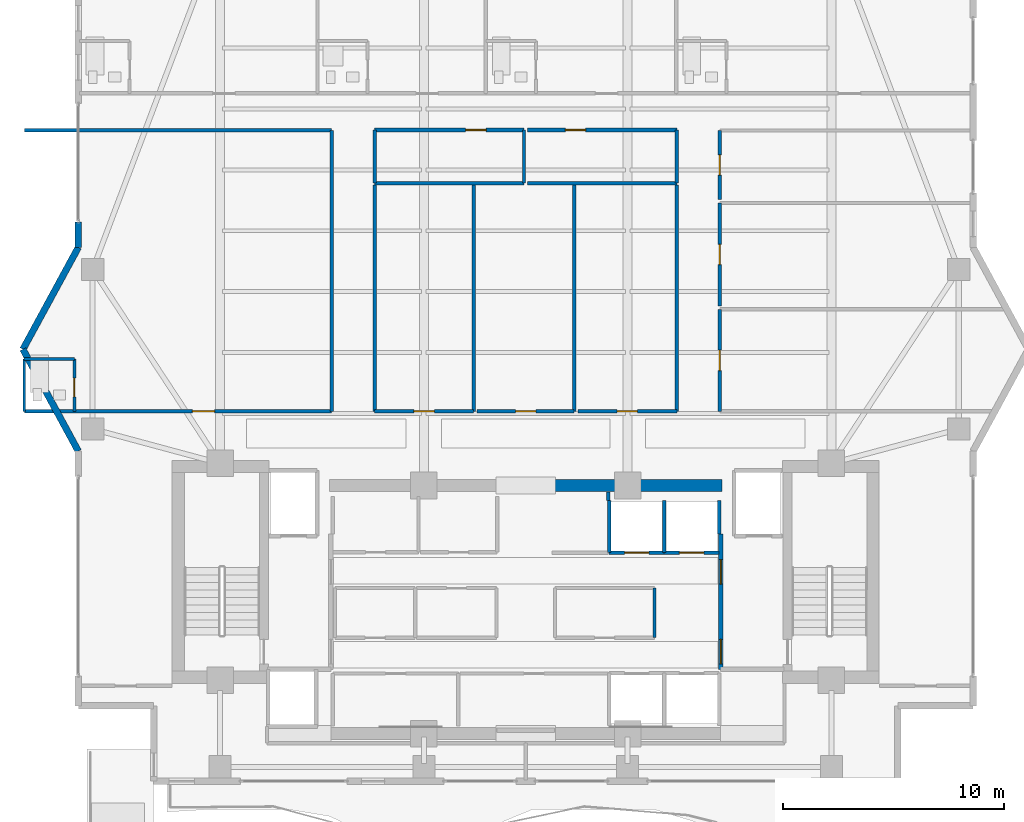
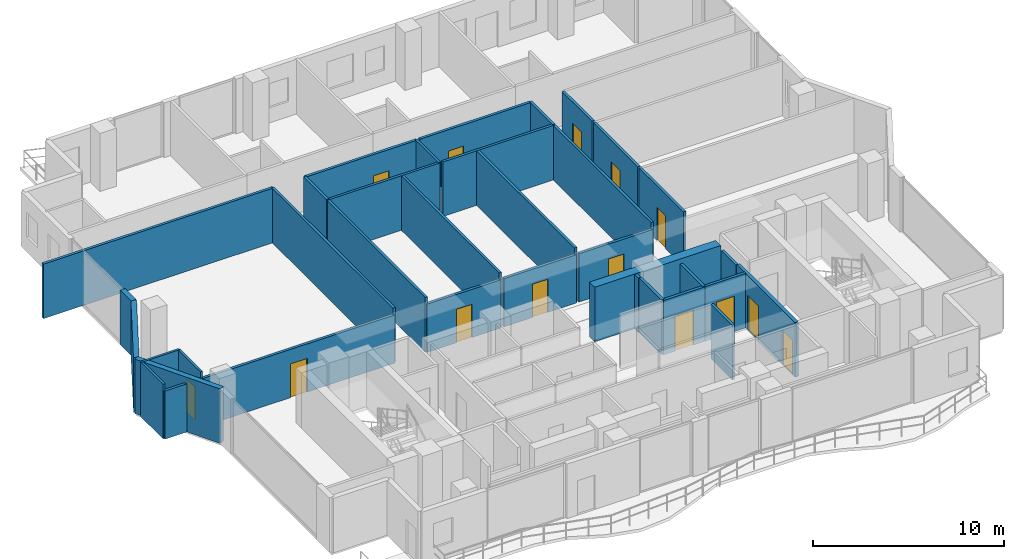
# One storey, part 19 of 24: 35 walls, 14 doors, 14 openings.
"""IFC4 building model written with IfcOpenShell, lengths in metres."""

from ifc_helpers import new_model, si_unit, direction, frame, frame_2d, origin, place, context, subcontext, project, spatial, rectangle, extrude, material, layer, layer_set, type_object, element, fill, save


model = new_model("IFC4")

# Units and contexts
model_context = context("Model", 3, precision=1e-05, world=origin(), true_north=direction((0.0, 1.0)))
body_context = subcontext(model_context, "Body", "Model", "MODEL_VIEW")
ifc_project = project(units=[si_unit("LENGTHUNIT", "METRE"), si_unit("AREAUNIT", "SQUARE_METRE"), si_unit("VOLUMEUNIT", "CUBIC_METRE"), si_unit("PLANEANGLEUNIT", "RADIAN"), si_unit("MASSUNIT", "GRAM", prefix="KILO")], contexts=[model_context])

# Site, building, storey
site_placement = place(None, origin())
site = spatial("IfcSite", under=ifc_project, at=site_placement, CompositionType="ELEMENT")
building_placement = place(site_placement, origin())
building = spatial("IfcBuilding", under=site, at=building_placement, Name="Zuhayl Quay Hotel", CompositionType="ELEMENT")
storey_placement = place(building_placement, frame((0.0, 0.0, 280.35009765625)))
storey = spatial("IfcBuildingStorey", under=building, at=storey_placement, Name="L71", CompositionType="ELEMENT", Elevation=280.35009765625)

# Walls
ifc_material_1 = material(Name="Concrete C50/60", Category="concrete")
ifc_layer_1 = layer(ifc_material_1, 0.550048828125, Name="Concrete C50/60", Category="concrete")
ifc_layer_set_1 = layer_set([ifc_layer_1], Name="Concrete C50/60")
wall_type_1 = type_object("IfcWallType", Name="WL_CORE_550", PredefinedType="SHEAR", material=ifc_layer_set_1)
wall_1_placement = place(storey_placement, frame((1.25, 13.35009765625, 0.0), z_axis=(0.0, 0.0, 1.0), x_axis=(1.0, 0.0, 0.0)))
element("IfcWall", 1, at=wall_1_placement, inside=storey, type_object=wall_type_1, Name="L71 Core Shear Wall CW_NC_E", PredefinedType="SHEAR", context=body_context, shape_type="SweptSolid", body=[
    extrude(rectangle(XDim=7.60009765625, YDim=0.550048828125, at=frame_2d((3.800048828125, 0.0))), origin(), (0.0, 0.0, 1.0), 3.47998046875),
])
ifc_material_2 = material(Name="Precast concrete C45/55", Category="concrete")
ifc_layer_2 = layer(ifc_material_2, 0.300048828125, Name="Precast concrete C45/55", Category="concrete")
ifc_layer_set_2 = layer_set([ifc_layer_2], Name="Precast concrete C45/55")
wall_type_2 = type_object("IfcWallType", Name="WL_EXT_300", PredefinedType="STANDARD", material=ifc_layer_set_2)
for number, where, z_axis, x_axis, name in (
    (2, (-20.199951171875, 14.89990234375, 0.0), (0.0, 0.0, 1.0), (-0.477505494629, 0.878628762675, 0.0), "L71 Exterior Precast Wall ENV_L71_EW03"),
    (3, (-22.699951171875, 19.5, 0.0), (0.0, 0.0, 1.0), (0.477505494629, 0.878628762675, 0.0), "L71 Exterior Precast Wall ENV_L71_EW04"),
):
    element("IfcWall", number, at=place(storey_placement, frame(where, z_axis=z_axis, x_axis=x_axis)), inside=storey, type_object=wall_type_2, Name=name, PredefinedType="STANDARD", context=body_context, shape_type="SweptSolid", body=[
        extrude(rectangle(XDim=5.235595703125, YDim=0.300048828125, at=frame_2d((2.61767578125, 0.0))), origin(), (0.0, 0.0, 1.0), 3.47998046875),
    ])
wall_2_placement = place(storey_placement, frame((-20.199951171875, 24.10009765625, 0.0), z_axis=(0.0, 0.0, 1.0), x_axis=(0.0, 1.0, 0.0)))
element("IfcWall", 4, at=wall_2_placement, inside=storey, type_object=wall_type_2, Name="L71 Exterior Precast Wall ENV_L71_E05_EW1", PredefinedType="STANDARD", context=body_context, shape_type="SweptSolid", body=[
    extrude(rectangle(XDim=1.14990234375, YDim=0.300048828125, at=frame_2d((0.574951171875, 0.0))), origin(), (0.0, 0.0, 1.0), 3.47998046875),
])
ifc_material_3 = material(Name="Acoustic Gypsum Partition STC-58")
ifc_layer_3 = layer(ifc_material_3, 0.14990234375, Name="Acoustic Gypsum Partition STC-58")
ifc_layer_set_3 = layer_set([ifc_layer_3], Name="Acoustic Gypsum Partition STC-58")
wall_type_3 = type_object("IfcWallType", Name="WL_PART_150", PredefinedType="PARTITIONING", material=ifc_layer_set_3)
wall_3_placement = place(storey_placement, frame((5.81005859375, 6.47998046875, 0.0), z_axis=(0.0, 0.0, 1.0), x_axis=(0.0, 1.0, 0.0)))
element("IfcWall", 5, at=wall_3_placement, inside=storey, type_object=wall_type_3, Name="L71 Partition IW_L71_CORE_PN_E", PredefinedType="PARTITIONING", context=body_context, shape_type="SweptSolid", body=[
    extrude(rectangle(XDim=2.239990234375, YDim=0.14990234375, at=frame_2d((1.1201171875, 0.0))), origin(), (0.0, 0.0, 1.0), 3.47998046875),
])
wall_4_placement = place(storey_placement, frame((3.719970703125, 12.679931640625, 0.0), z_axis=(0.0, 0.0, 1.0), x_axis=(0.0, 1.0, 0.0)))
element("IfcWall", 6, at=wall_4_placement, inside=storey, type_object=wall_type_3, Name="L71 Partition IW_L71_VEST_MP4_E", PredefinedType="PARTITIONING", context=body_context, shape_type="SweptSolid", body=[
    extrude(rectangle(XDim=0.3701171875, YDim=0.14990234375, at=frame_2d((0.18505859375, 0.0))), origin(), (0.0, 0.0, 1.0), 3.47998046875),
])
wall_5_placement = place(storey_placement, frame((-6.820068359375, 27.0, 0.0), z_axis=(0.0, 0.0, 1.0), x_axis=(1.0, 0.0, 0.0)))
element("IfcWall", 7, at=wall_5_placement, inside=storey, type_object=wall_type_3, Name="L71 Partition IW_L71_HK_MAIN_S", PredefinedType="PARTITIONING", context=body_context, shape_type="SweptSolid", body=[
    extrude(rectangle(XDim=6.739990234375, YDim=0.14990234375, at=frame_2d((3.3701171875, 0.0))), origin(), (0.0, 0.0, 1.0), 3.47998046875),
])
for number, where, z_axis, x_axis, name in (
    (8, (-6.820068359375, 27.0, 0.0), (0.0, 0.0, 1.0), (0.0, 1.0, 0.0), "L71 Partition IW_L71_HK_MAIN_W"),
    (9, (-0.080078125, 27.0, 0.0), (0.0, 0.0, 1.0), (0.0, 1.0, 0.0), "L71 Partition IW_L71_HK_MAIN_E"),
):
    element("IfcWall", number, at=place(storey_placement, frame(where, z_axis=z_axis, x_axis=x_axis)), inside=storey, type_object=wall_type_3, Name=name, PredefinedType="PARTITIONING", context=body_context, shape_type="SweptSolid", body=[
        extrude(rectangle(XDim=2.39990234375, YDim=0.14990234375, at=frame_2d((1.199951171875, 0.0))), origin(), (0.0, 0.0, 1.0), 3.47998046875),
    ])
wall_6_placement = place(storey_placement, frame((0.080078125, 27.0, 0.0), z_axis=(0.0, 0.0, 1.0), x_axis=(1.0, 0.0, 0.0)))
element("IfcWall", 10, at=wall_6_placement, inside=storey, type_object=wall_type_3, Name="L71 Partition IW_L71_TEA_MAIN_S", PredefinedType="PARTITIONING", context=body_context, shape_type="SweptSolid", body=[
    extrude(rectangle(XDim=6.739990234375, YDim=0.14990234375, at=frame_2d((3.3701171875, 0.0))), origin(), (0.0, 0.0, 1.0), 3.47998046875),
])
wall_7_placement = place(storey_placement, frame((6.820068359375, 27.0, 0.0), z_axis=(0.0, 0.0, 1.0), x_axis=(0.0, 1.0, 0.0)))
element("IfcWall", 11, at=wall_7_placement, inside=storey, type_object=wall_type_3, Name="L71 Partition IW_L71_TEA_MAIN_E", PredefinedType="PARTITIONING", context=body_context, shape_type="SweptSolid", body=[
    extrude(rectangle(XDim=2.39990234375, YDim=0.14990234375, at=frame_2d((1.199951171875, 0.0))), origin(), (0.0, 0.0, 1.0), 3.47998046875),
])
for number, where, z_axis, x_axis, name in (
    (12, (-6.820068359375, 16.699951171875, 0.0), (0.0, 0.0, 1.0), (0.0, 1.0, 0.0), "L71 Partition IW_L71_Z4_V5C1_W"),
    (13, (-2.35009765625, 16.699951171875, 0.0), (0.0, 0.0, 1.0), (0.0, 1.0, 0.0), "L71 Partition IW_L71_Z4_V5C1_E"),
    (14, (2.18994140625, 16.699951171875, 0.0), (0.0, 0.0, 1.0), (0.0, 1.0, 0.0), "L71 Partition IW_L71_Z4_V5C2_E"),
    (15, (6.820068359375, 16.699951171875, 0.0), (0.0, 0.0, 1.0), (0.0, 1.0, 0.0), "L71 Partition IW_L71_Z4_V5C3_E"),
):
    element("IfcWall", number, at=place(storey_placement, frame(where, z_axis=z_axis, x_axis=x_axis)), inside=storey, type_object=wall_type_3, Name=name, PredefinedType="PARTITIONING", context=body_context, shape_type="SweptSolid", body=[
        extrude(rectangle(XDim=10.219970703125, YDim=0.14990234375, at=frame_2d((5.10986328125, 0.0))), origin(), (0.0, 0.0, 1.0), 3.47998046875),
    ])
wall_8_placement = place(storey_placement, frame((-8.760009765625, 16.699951171875, 0.0), z_axis=(0.0, 0.0, 1.0), x_axis=(0.0, 1.0, 0.0)))
element("IfcWall", 16, at=wall_8_placement, inside=storey, type_object=wall_type_3, Name="L71 Partition IW_L71_WU01_E", PredefinedType="PARTITIONING", context=body_context, shape_type="SweptSolid", body=[
    extrude(rectangle(XDim=12.679931640625, YDim=0.14990234375, at=frame_2d((6.33984375, 0.0))), origin(), (0.0, 0.0, 1.0), 3.47998046875),
])

# Wall, opening, door
ifc_layer_4 = layer(ifc_material_3, 0.159912109375, Name="Acoustic Gypsum Partition STC-58")
ifc_layer_set_4 = layer_set([ifc_layer_4], Name="Acoustic Gypsum Partition STC-58")
wall_type_4 = type_object("IfcWallType", Name="WL_PART_CORR_160", PredefinedType="PARTITIONING", material=ifc_layer_set_4)
wall_9_placement = place(storey_placement, frame((-6.820068359375, 29.39990234375, 0.0), z_axis=(0.0, 0.0, 1.0), x_axis=(1.0, 0.0, 0.0)))
wall_9 = element("IfcWall", 17, at=wall_9_placement, inside=storey, type_object=wall_type_4, Name="L71 Partition IW_L71_HK_MAIN_N", PredefinedType="PARTITIONING", context=body_context, shape_type="SweptSolid", body=[
    extrude(rectangle(XDim=6.739990234375, YDim=0.159912109375, at=frame_2d((3.3701171875, 0.0))), origin(), (0.0, 0.0, 1.0), 3.47998046875),
])
opening_1_placement = place(wall_9_placement, frame((4.110107421875, 0.0, 0.0)))
opening_1 = element("IfcOpeningElement", 18, at=opening_1_placement, cuts=wall_9, Name="Opening D05", PredefinedType="OPENING", context=body_context, shape_type="SweptSolid", body=[
    extrude(rectangle(XDim=0.919921875, YDim=2.1201171875, at=frame_2d((0.4599609375, 1.06005859375))), frame((0.0, 0.08984375, 0.0), z_axis=(0.0, -1.0, 0.0), x_axis=(1.0, 0.0, 0.0)), (0.0, 0.0, 1.0), 0.179931640625),
])
ifc_material_4 = material(Name="Solid Walnut Acoustic Fire Door")
door_type_1 = type_object("IfcDoorType", Name="DR_INT_950", OperationType="NOTDEFINED", PredefinedType="DOOR", material=ifc_material_4)
door_1_placement = place(opening_1_placement, origin())
door_1 = element("IfcDoor", 19, at=door_1_placement, inside=storey, type_object=door_type_1, Name="L71 Housekeeping and Linen Room Door", OperationType="SINGLE_SWING_LEFT", OverallHeight=2.1201171875, OverallWidth=0.919921875, PredefinedType="DOOR", context=body_context, shape_type="SweptSolid", body=[
    extrude(rectangle(XDim=0.919921875, YDim=2.1201171875, at=frame_2d((0.4599609375, 1.06005859375))), frame((0.0, 0.02490234375, 0.0), z_axis=(0.0, -1.0, 0.0), x_axis=(1.0, 0.0, 0.0)), (0.0, 0.0, 1.0), 0.050048828125),
])
fill(opening_1, door_1)

wall_10_placement = place(storey_placement, frame((0.080078125, 29.39990234375, 0.0), z_axis=(0.0, 0.0, 1.0), x_axis=(1.0, 0.0, 0.0)))
wall_10 = element("IfcWall", 20, at=wall_10_placement, inside=storey, type_object=wall_type_4, Name="L71 Partition IW_L71_TEA_MAIN_N", PredefinedType="PARTITIONING", context=body_context, shape_type="SweptSolid", body=[
    extrude(rectangle(XDim=6.739990234375, YDim=0.159912109375, at=frame_2d((3.3701171875, 0.0))), origin(), (0.0, 0.0, 1.0), 3.47998046875),
])
opening_2_placement = place(wall_10_placement, frame((1.7099609375, 0.0, 0.0)))
opening_2 = element("IfcOpeningElement", 21, at=opening_2_placement, cuts=wall_10, Name="Opening D05", PredefinedType="OPENING", context=body_context, shape_type="SweptSolid", body=[
    extrude(rectangle(XDim=0.919921875, YDim=2.1201171875, at=frame_2d((0.4599609375, 1.06005859375))), frame((0.0, 0.08984375, 0.0), z_axis=(0.0, -1.0, 0.0), x_axis=(1.0, 0.0, 0.0)), (0.0, 0.0, 1.0), 0.179931640625),
])
door_2_placement = place(opening_2_placement, origin())
door_2 = element("IfcDoor", 22, at=door_2_placement, inside=storey, type_object=door_type_1, Name="L71 Floor Beverage Pantry Door", OperationType="SINGLE_SWING_RIGHT", OverallHeight=2.1201171875, OverallWidth=0.919921875, PredefinedType="DOOR", context=body_context, shape_type="SweptSolid", body=[
    extrude(rectangle(XDim=0.919921875, YDim=2.1201171875, at=frame_2d((0.4599609375, 1.06005859375))), frame((0.0, 0.02490234375, 0.0), z_axis=(0.0, -1.0, 0.0), x_axis=(1.0, 0.0, 0.0)), (0.0, 0.0, 1.0), 0.050048828125),
])
fill(opening_2, door_2)

wall_11_placement = place(storey_placement, frame((-6.820068359375, 16.699951171875, 0.0), z_axis=(0.0, 0.0, 1.0), x_axis=(1.0, 0.0, 0.0)))
wall_11 = element("IfcWall", 23, at=wall_11_placement, inside=storey, type_object=wall_type_4, Name="L71 Partition IW_L71_Z4_V5C1_S", PredefinedType="PARTITIONING", context=body_context, shape_type="SweptSolid", body=[
    extrude(rectangle(XDim=4.469970703125, YDim=0.159912109375, at=frame_2d((2.23486328125, 0.0))), origin(), (0.0, 0.0, 1.0), 3.075927734375),
])
opening_3_placement = place(wall_11_placement, frame((1.77490234375, 0.0, 0.0)))
opening_3 = element("IfcOpeningElement", 24, at=opening_3_placement, cuts=wall_11, Name="Opening D05", PredefinedType="OPENING", context=body_context, shape_type="SweptSolid", body=[
    extrude(rectangle(XDim=0.919921875, YDim=2.1201171875, at=frame_2d((0.4599609375, 1.06005859375))), frame((0.0, 0.08984375, 0.0), z_axis=(0.0, -1.0, 0.0), x_axis=(1.0, 0.0, 0.0)), (0.0, 0.0, 1.0), 0.179931640625),
])
door_3_placement = place(opening_3_placement, origin())
door_3 = element("IfcDoor", 25, at=door_3_placement, inside=storey, type_object=door_type_1, Name="L71 Diplomatic Sky Salon Door", OperationType="SINGLE_SWING_LEFT", OverallHeight=2.1201171875, OverallWidth=0.919921875, PredefinedType="DOOR", context=body_context, shape_type="SweptSolid", body=[
    extrude(rectangle(XDim=0.919921875, YDim=2.1201171875, at=frame_2d((0.4599609375, 1.06005859375))), frame((0.0, 0.02490234375, 0.0), z_axis=(0.0, -1.0, 0.0), x_axis=(1.0, 0.0, 0.0)), (0.0, 0.0, 1.0), 0.050048828125),
])
fill(opening_3, door_3)

wall_12_placement = place(storey_placement, frame((-2.18994140625, 16.699951171875, 0.0), z_axis=(0.0, 0.0, 1.0), x_axis=(1.0, 0.0, 0.0)))
wall_12 = element("IfcWall", 26, at=wall_12_placement, inside=storey, type_object=wall_type_4, Name="L71 Partition IW_L71_Z4_V5C2_S", PredefinedType="PARTITIONING", context=body_context, shape_type="SweptSolid", body=[
    extrude(rectangle(XDim=4.3798828125, YDim=0.159912109375, at=frame_2d((2.18994140625, 0.0))), origin(), (0.0, 0.0, 1.0), 3.075927734375),
])
opening_4_placement = place(wall_12_placement, frame((1.72998046875, 0.0, 0.0)))
opening_4 = element("IfcOpeningElement", 27, at=opening_4_placement, cuts=wall_12, Name="Opening D05", PredefinedType="OPENING", context=body_context, shape_type="SweptSolid", body=[
    extrude(rectangle(XDim=0.919921875, YDim=2.1201171875, at=frame_2d((0.4599609375, 1.06005859375))), frame((0.0, 0.08984375, 0.0), z_axis=(0.0, -1.0, 0.0), x_axis=(1.0, 0.0, 0.0)), (0.0, 0.0, 1.0), 0.179931640625),
])
door_4_placement = place(opening_4_placement, origin())
door_4 = element("IfcDoor", 28, at=door_4_placement, inside=storey, type_object=door_type_1, Name="L71 Diplomatic Reception Salon Door", OperationType="SINGLE_SWING_RIGHT", OverallHeight=2.1201171875, OverallWidth=0.919921875, PredefinedType="DOOR", context=body_context, shape_type="SweptSolid", body=[
    extrude(rectangle(XDim=0.919921875, YDim=2.1201171875, at=frame_2d((0.4599609375, 1.06005859375))), frame((0.0, 0.02490234375, 0.0), z_axis=(0.0, -1.0, 0.0), x_axis=(1.0, 0.0, 0.0)), (0.0, 0.0, 1.0), 0.050048828125),
])
fill(opening_4, door_4)

wall_13_placement = place(storey_placement, frame((2.35009765625, 16.699951171875, 0.0), z_axis=(0.0, 0.0, 1.0), x_axis=(1.0, 0.0, 0.0)))
wall_13 = element("IfcWall", 29, at=wall_13_placement, inside=storey, type_object=wall_type_4, Name="L71 Partition IW_L71_Z4_V5C3_S", PredefinedType="PARTITIONING", context=body_context, shape_type="SweptSolid", body=[
    extrude(rectangle(XDim=4.469970703125, YDim=0.159912109375, at=frame_2d((2.23486328125, 0.0))), origin(), (0.0, 0.0, 1.0), 3.075927734375),
])
opening_5_placement = place(wall_13_placement, frame((1.77490234375, 0.0, 0.0)))
opening_5 = element("IfcOpeningElement", 30, at=opening_5_placement, cuts=wall_13, Name="Opening D05", PredefinedType="OPENING", context=body_context, shape_type="SweptSolid", body=[
    extrude(rectangle(XDim=0.919921875, YDim=2.1201171875, at=frame_2d((0.4599609375, 1.06005859375))), frame((0.0, 0.08984375, 0.0), z_axis=(0.0, -1.0, 0.0), x_axis=(1.0, 0.0, 0.0)), (0.0, 0.0, 1.0), 0.179931640625),
])
door_5_placement = place(opening_5_placement, origin())
door_5 = element("IfcDoor", 31, at=door_5_placement, inside=storey, type_object=door_type_1, Name="L71 Protocol Office Door", OperationType="SINGLE_SWING_LEFT", OverallHeight=2.1201171875, OverallWidth=0.919921875, PredefinedType="DOOR", context=body_context, shape_type="SweptSolid", body=[
    extrude(rectangle(XDim=0.919921875, YDim=2.1201171875, at=frame_2d((0.4599609375, 1.06005859375))), frame((0.0, 0.02490234375, 0.0), z_axis=(0.0, -1.0, 0.0), x_axis=(1.0, 0.0, 0.0)), (0.0, 0.0, 1.0), 0.050048828125),
])
fill(opening_5, door_5)

wall_14_placement = place(storey_placement, frame((8.760009765625, 16.699951171875, 0.0), z_axis=(0.0, 0.0, 1.0), x_axis=(0.0, 1.0, 0.0)))
wall_14 = element("IfcWall", 32, at=wall_14_placement, inside=storey, type_object=wall_type_4, Name="L71 Partition IW_L71_Z4_V5E1_W", PredefinedType="PARTITIONING", context=body_context, shape_type="SweptSolid", body=[
    extrude(rectangle(XDim=4.60009765625, YDim=0.159912109375, at=frame_2d((2.300048828125, 0.0))), origin(), (0.0, 0.0, 1.0), 3.47998046875),
])
opening_6_placement = place(wall_14_placement, frame((1.840087890625, 0.0, 0.0)))
opening_6 = element("IfcOpeningElement", 33, at=opening_6_placement, cuts=wall_14, Name="Opening D05", PredefinedType="OPENING", context=body_context, shape_type="SweptSolid", body=[
    extrude(rectangle(XDim=0.919921875, YDim=2.1201171875, at=frame_2d((0.4599609375, 1.06005859375))), frame((0.0, 0.08984375, 0.0), z_axis=(0.0, -1.0, 0.0), x_axis=(1.0, 0.0, 0.0)), (0.0, 0.0, 1.0), 0.179931640625),
])
door_6_placement = place(opening_6_placement, origin())
door_6 = element("IfcDoor", 34, at=door_6_placement, inside=storey, type_object=door_type_1, Name="L71 East Protocol Salon Door", OperationType="SINGLE_SWING_RIGHT", OverallHeight=2.1201171875, OverallWidth=0.919921875, PredefinedType="DOOR", context=body_context, shape_type="SweptSolid", body=[
    extrude(rectangle(XDim=0.919921875, YDim=2.1201171875, at=frame_2d((0.4599609375, 1.06005859375))), frame((0.0, 0.02490234375, 0.0), z_axis=(0.0, -1.0, 0.0), x_axis=(1.0, 0.0, 0.0)), (0.0, 0.0, 1.0), 0.050048828125),
])
fill(opening_6, door_6)

wall_15_placement = place(storey_placement, frame((8.760009765625, 21.4599609375, 0.0), z_axis=(0.0, 0.0, 1.0), x_axis=(0.0, 1.0, 0.0)))
wall_15 = element("IfcWall", 35, at=wall_15_placement, inside=storey, type_object=wall_type_4, Name="L71 Partition IW_L71_Z4_V5E2_W", PredefinedType="PARTITIONING", context=body_context, shape_type="SweptSolid", body=[
    extrude(rectangle(XDim=4.64013671875, YDim=0.159912109375, at=frame_2d((2.320068359375, 0.0))), origin(), (0.0, 0.0, 1.0), 3.47998046875),
])
opening_7_placement = place(wall_15_placement, frame((1.860107421875, 0.0, 0.0)))
opening_7 = element("IfcOpeningElement", 36, at=opening_7_placement, cuts=wall_15, Name="Opening D05", PredefinedType="OPENING", context=body_context, shape_type="SweptSolid", body=[
    extrude(rectangle(XDim=0.919921875, YDim=2.1201171875, at=frame_2d((0.4599609375, 1.06005859375))), frame((0.0, 0.08984375, 0.0), z_axis=(0.0, -1.0, 0.0), x_axis=(1.0, 0.0, 0.0)), (0.0, 0.0, 1.0), 0.179931640625),
])
door_7_placement = place(opening_7_placement, origin())
door_7 = element("IfcDoor", 37, at=door_7_placement, inside=storey, type_object=door_type_1, Name="L71 East Security Office Door", OperationType="SINGLE_SWING_LEFT", OverallHeight=2.1201171875, OverallWidth=0.919921875, PredefinedType="DOOR", context=body_context, shape_type="SweptSolid", body=[
    extrude(rectangle(XDim=0.919921875, YDim=2.1201171875, at=frame_2d((0.4599609375, 1.06005859375))), frame((0.0, 0.02490234375, 0.0), z_axis=(0.0, -1.0, 0.0), x_axis=(1.0, 0.0, 0.0)), (0.0, 0.0, 1.0), 0.050048828125),
])
fill(opening_7, door_7)

wall_16_placement = place(storey_placement, frame((8.760009765625, 26.260009765625, 0.0), z_axis=(0.0, 0.0, 1.0), x_axis=(0.0, 1.0, 0.0)))
wall_16 = element("IfcWall", 38, at=wall_16_placement, inside=storey, type_object=wall_type_4, Name="L71 Partition IW_L71_Z4_V5E3_W", PredefinedType="PARTITIONING", context=body_context, shape_type="SweptSolid", body=[
    extrude(rectangle(XDim=3.119873046875, YDim=0.159912109375, at=frame_2d((1.56005859375, 0.0))), origin(), (0.0, 0.0, 1.0), 3.47998046875),
])
opening_8_placement = place(wall_16_placement, frame((1.10009765625, 0.0, 0.0)))
opening_8 = element("IfcOpeningElement", 39, at=opening_8_placement, cuts=wall_16, Name="Opening D05", PredefinedType="OPENING", context=body_context, shape_type="SweptSolid", body=[
    extrude(rectangle(XDim=0.919921875, YDim=2.1201171875, at=frame_2d((0.4599609375, 1.06005859375))), frame((0.0, 0.08984375, 0.0), z_axis=(0.0, -1.0, 0.0), x_axis=(1.0, 0.0, 0.0)), (0.0, 0.0, 1.0), 0.179931640625),
])
door_8_placement = place(opening_8_placement, origin())
door_8 = element("IfcDoor", 40, at=door_8_placement, inside=storey, type_object=door_type_1, Name="L71 East Envoy Office Door", OperationType="SINGLE_SWING_RIGHT", OverallHeight=2.1201171875, OverallWidth=0.919921875, PredefinedType="DOOR", context=body_context, shape_type="SweptSolid", body=[
    extrude(rectangle(XDim=0.919921875, YDim=2.1201171875, at=frame_2d((0.4599609375, 1.06005859375))), frame((0.0, 0.02490234375, 0.0), z_axis=(0.0, -1.0, 0.0), x_axis=(1.0, 0.0, 0.0)), (0.0, 0.0, 1.0), 0.050048828125),
])
fill(opening_8, door_8)

wall_17_placement = place(storey_placement, frame((-22.639892578125, 16.699951171875, 0.0), z_axis=(0.0, 0.0, 1.0), x_axis=(1.0, 0.0, 0.0)))
wall_17 = element("IfcWall", 41, at=wall_17_placement, inside=storey, type_object=wall_type_4, Name="L71 Partition IW_L71_WU01_COR", PredefinedType="PARTITIONING", context=body_context, shape_type="SweptSolid", body=[
    extrude(rectangle(XDim=13.8798828125, YDim=0.159912109375, at=frame_2d((6.93994140625, 0.0))), origin(), (0.0, 0.0, 1.0), 3.075927734375),
])
opening_9_placement = place(wall_17_placement, frame((7.590087890625, 0.0, 0.0)))
opening_9 = element("IfcOpeningElement", 42, at=opening_9_placement, cuts=wall_17, Name="Opening D03L", PredefinedType="OPENING", context=body_context, shape_type="SweptSolid", body=[
    extrude(rectangle(XDim=1.0, YDim=2.14990234375, at=frame_2d((0.5, 1.074951171875))), frame((0.0, 0.08984375, 0.0), z_axis=(0.0, -1.0, 0.0), x_axis=(1.0, 0.0, 0.0)), (0.0, 0.0, 1.0), 0.179931640625),
])
door_type_2 = type_object("IfcDoorType", Name="DR_SUITE_1000", OperationType="NOTDEFINED", PredefinedType="DOOR", material=ifc_material_4)
door_9_placement = place(opening_9_placement, origin())
door_9 = element("IfcDoor", 43, at=door_9_placement, inside=storey, type_object=door_type_2, Name="L71 Diplomatic West Suite L71 Entrance Door", OperationType="SINGLE_SWING_RIGHT", OverallHeight=2.14990234375, OverallWidth=1.0, PredefinedType="DOOR", context=body_context, shape_type="SweptSolid", body=[
    extrude(rectangle(XDim=1.0, YDim=2.14990234375, at=frame_2d((0.5, 1.074951171875))), frame((0.0, 0.02490234375, 0.0), z_axis=(0.0, -1.0, 0.0), x_axis=(1.0, 0.0, 0.0)), (0.0, 0.0, 1.0), 0.050048828125),
])
fill(opening_9, door_9)

# Wall
wall_18_placement = place(storey_placement, frame((-22.639892578125, 29.3798828125, 0.0), z_axis=(0.0, 0.0, 1.0), x_axis=(1.0, 0.0, 0.0)))
element("IfcWall", 44, at=wall_18_placement, inside=storey, type_object=wall_type_4, Name="L71 Partition IW_L71_WU01_BK", PredefinedType="PARTITIONING", context=body_context, shape_type="SweptSolid", body=[
    extrude(rectangle(XDim=13.8798828125, YDim=0.159912109375, at=frame_2d((6.93994140625, 0.0))), origin(), (0.0, 0.0, 1.0), 3.47998046875),
])

# Wall, opening, door
ifc_material_5 = material(Name="Moisture-Resistant Sanitarychase Gypsum")
ifc_layer_5 = layer(ifc_material_5, 0.135009765625, Name="Moisture-Resistant Sanitarychase Gypsum")
ifc_layer_set_5 = layer_set([ifc_layer_5], Name="Moisture-Resistant Sanitarychase Gypsum")
wall_type_5 = type_object("IfcWallType", Name="WL_PART_PLUMB_150", PredefinedType="PLUMBINGWALL", material=ifc_layer_set_5)
wall_19_placement = place(storey_placement, frame((-20.3798828125, 16.699951171875, 0.0), z_axis=(0.0, 0.0, 1.0), x_axis=(0.0, 1.0, 0.0)))
wall_19 = element("IfcWall", 45, at=wall_19_placement, inside=storey, type_object=wall_type_5, Name="L71 Partition IW_L71_WU01_BE", PredefinedType="PLUMBINGWALL", context=body_context, shape_type="SweptSolid", body=[
    extrude(rectangle(XDim=2.360107421875, YDim=0.135009765625, at=frame_2d((1.18017578125, 0.0))), origin(), (0.0, 0.0, 1.0), 3.47998046875),
])
opening_10_placement = place(wall_19_placement, frame((0.64990234375, 0.0, 0.0)))
opening_10 = element("IfcOpeningElement", 46, at=opening_10_placement, cuts=wall_19, Name="Opening D04", PredefinedType="OPENING", context=body_context, shape_type="SweptSolid", body=[
    extrude(rectangle(XDim=0.85009765625, YDim=2.10009765625, at=frame_2d((0.425048828125, 1.050048828125))), frame((0.0, 0.077392578125, 0.0), z_axis=(0.0, -1.0, 0.0), x_axis=(1.0, 0.0, 0.0)), (0.0, 0.0, 1.0), 0.155029296875),
])
ifc_material_6 = material(Name="Moisture-Resistant Walnut Veneer")
door_type_3 = type_object("IfcDoorType", Name="DR_BATH_850", OperationType="NOTDEFINED", PredefinedType="DOOR", material=ifc_material_6)
door_10_placement = place(opening_10_placement, origin())
door_10 = element("IfcDoor", 47, at=door_10_placement, inside=storey, type_object=door_type_3, Name="L71 Diplomatic West Suite L71 En-Suite Door", OperationType="SINGLE_SWING_LEFT", OverallHeight=2.10009765625, OverallWidth=0.85009765625, PredefinedType="DOOR", context=body_context, shape_type="SweptSolid", body=[
    extrude(rectangle(XDim=0.85009765625, YDim=2.10009765625, at=frame_2d((0.425048828125, 1.050048828125))), frame((0.0, 0.02490234375, 0.0), z_axis=(0.0, -1.0, 0.0), x_axis=(1.0, 0.0, 0.0)), (0.0, 0.0, 1.0), 0.050048828125),
])
fill(opening_10, door_10)

# Walls
wall_20_placement = place(storey_placement, frame((-22.639892578125, 19.06005859375, 0.0), z_axis=(0.0, 0.0, 1.0), x_axis=(1.0, 0.0, 0.0)))
element("IfcWall", 48, at=wall_20_placement, inside=storey, type_object=wall_type_5, Name="L71 Partition IW_L71_WU01_BN", PredefinedType="PLUMBINGWALL", context=body_context, shape_type="SweptSolid", body=[
    extrude(rectangle(XDim=2.260009765625, YDim=0.135009765625, at=frame_2d((1.1298828125, 0.0))), origin(), (0.0, 0.0, 1.0), 3.47998046875),
])
wall_21_placement = place(storey_placement, frame((-22.639892578125, 16.699951171875, 0.0), z_axis=(0.0, 0.0, 1.0), x_axis=(0.0, 1.0, 0.0)))
element("IfcWall", 49, at=wall_21_placement, inside=storey, type_object=wall_type_5, Name="L71 Partition IW_L71_WU01_BW", PredefinedType="PLUMBINGWALL", context=body_context, shape_type="SweptSolid", body=[
    extrude(rectangle(XDim=2.360107421875, YDim=0.135009765625, at=frame_2d((1.18017578125, 0.0))), origin(), (0.0, 0.0, 1.0), 3.47998046875),
])

# Wall, opening, door
ifc_material_7 = material(Name="Gypsum Fireboard Assembly EI-90")
ifc_layer_6 = layer(ifc_material_7, 0.1650390625, Name="Gypsum Fireboard Assembly EI-90")
ifc_layer_set_6 = layer_set([ifc_layer_6], Name="Gypsum Fireboard Assembly EI-90")
wall_type_6 = type_object("IfcWallType", Name="WL_PART_SHAFT_160", PredefinedType="PARTITIONING", material=ifc_layer_set_6)
wall_22_placement = place(storey_placement, frame((3.77001953125, 10.320068359375, 0.0), z_axis=(0.0, 0.0, 1.0), x_axis=(1.0, 0.0, 0.0)))
wall_22 = element("IfcWall", 50, at=wall_22_placement, inside=storey, type_object=wall_type_6, Name="L71 Partition IW_L71_SH_HP3_F", PredefinedType="PARTITIONING", context=body_context, shape_type="SweptSolid", body=[
    extrude(rectangle(XDim=2.47998046875, YDim=0.1650390625, at=frame_2d((1.239990234375, 0.0))), origin(), (0.0, 0.0, 1.0), 3.47998046875),
])
opening_11_placement = place(wall_22_placement, frame((0.68994140625, 0.0, 0.0)))
opening_11 = element("IfcOpeningElement", 51, at=opening_11_placement, cuts=wall_22, Name="Opening LD1", PredefinedType="OPENING", context=body_context, shape_type="SweptSolid", body=[
    extrude(rectangle(XDim=1.10009765625, YDim=2.25, at=frame_2d((0.550048828125, 1.125))), frame((0.0, 0.092529296875, 0.0), z_axis=(0.0, -1.0, 0.0), x_axis=(1.0, 0.0, 0.0)), (0.0, 0.0, 1.0), 0.18505859375),
])
ifc_material_8 = material(Name="Brushed Stainless Steel", Category="steel")
door_type_4 = type_object("IfcDoorType", Name="DR_LIFT_PASS_1100", OperationType="SLIDING_TO_LEFT", PredefinedType="DOOR", material=ifc_material_8)
door_11_placement = place(opening_11_placement, origin())
door_11 = element("IfcDoor", 52, at=door_11_placement, inside=storey, type_object=door_type_4, Name="L71 Lift HP3 Sliding Landing Door", OperationType="SLIDING_TO_LEFT", OverallHeight=2.25, OverallWidth=1.10009765625, PredefinedType="DOOR", context=body_context, shape_type="SweptSolid", body=[
    extrude(rectangle(XDim=1.10009765625, YDim=2.25, at=frame_2d((0.550048828125, 1.125))), frame((0.0, 0.02490234375, 0.0), z_axis=(0.0, -1.0, 0.0), x_axis=(1.0, 0.0, 0.0)), (0.0, 0.0, 1.0), 0.050048828125),
])
fill(opening_11, door_11)

wall_23_placement = place(storey_placement, frame((6.25, 10.320068359375, 0.0), z_axis=(0.0, 0.0, 1.0), x_axis=(1.0, 0.0, 0.0)))
wall_23 = element("IfcWall", 53, at=wall_23_placement, inside=storey, type_object=wall_type_6, Name="L71 Partition IW_L71_SH_HP4_F", PredefinedType="PARTITIONING", context=body_context, shape_type="SweptSolid", body=[
    extrude(rectangle(XDim=2.47998046875, YDim=0.1650390625, at=frame_2d((1.239990234375, 0.0))), origin(), (0.0, 0.0, 1.0), 3.47998046875),
])
opening_12_placement = place(wall_23_placement, frame((0.68994140625, 0.0, 0.0)))
opening_12 = element("IfcOpeningElement", 54, at=opening_12_placement, cuts=wall_23, Name="Opening LD1", PredefinedType="OPENING", context=body_context, shape_type="SweptSolid", body=[
    extrude(rectangle(XDim=1.10009765625, YDim=2.25, at=frame_2d((0.550048828125, 1.125))), frame((0.0, 0.092529296875, 0.0), z_axis=(0.0, -1.0, 0.0), x_axis=(1.0, 0.0, 0.0)), (0.0, 0.0, 1.0), 0.18505859375),
])
door_12_placement = place(opening_12_placement, origin())
door_12 = element("IfcDoor", 55, at=door_12_placement, inside=storey, type_object=door_type_4, Name="L71 Lift HP4 Sliding Landing Door", OperationType="SLIDING_TO_LEFT", OverallHeight=2.25, OverallWidth=1.10009765625, PredefinedType="DOOR", context=body_context, shape_type="SweptSolid", body=[
    extrude(rectangle(XDim=1.10009765625, YDim=2.25, at=frame_2d((0.550048828125, 1.125))), frame((0.0, 0.02490234375, 0.0), z_axis=(0.0, -1.0, 0.0), x_axis=(1.0, 0.0, 0.0)), (0.0, 0.0, 1.0), 0.050048828125),
])
fill(opening_12, door_12)

# Walls
for number, where, z_axis, x_axis, name in (
    (56, (3.77001953125, 10.320068359375, 0.0), (0.0, 0.0, 1.0), (0.0, 1.0, 0.0), "L71 Partition IW_L71_SH_HP3_W"),
    (57, (6.25, 10.320068359375, 0.0), (0.0, 0.0, 1.0), (0.0, 1.0, 0.0), "L71 Partition IW_L71_SH_HP3_E"),
):
    element("IfcWall", number, at=place(storey_placement, frame(where, z_axis=z_axis, x_axis=x_axis)), inside=storey, type_object=wall_type_6, Name=name, PredefinedType="PARTITIONING", context=body_context, shape_type="SweptSolid", body=[
        extrude(rectangle(XDim=2.35986328125, YDim=0.1650390625, at=frame_2d((1.179931640625, 0.0))), origin(), (0.0, 0.0, 1.0), 3.47998046875),
    ])
wall_24_placement = place(storey_placement, frame((8.72998046875, 11.14990234375, 0.0), z_axis=(0.0, 0.0, 1.0), x_axis=(0.0, 1.0, 0.0)))
element("IfcWall", 58, at=wall_24_placement, inside=storey, type_object=wall_type_6, Name="L71 Partition IW_L71_SH_HP4_E", PredefinedType="PARTITIONING", context=body_context, shape_type="SweptSolid", body=[
    extrude(rectangle(XDim=1.530029296875, YDim=0.1650390625, at=frame_2d((0.76513671875, 0.0))), origin(), (0.0, 0.0, 1.0), 3.47998046875),
])

# Wall, openings, doors
ifc_material_9 = material(Name="Gypsum Fireboard Assembly EI-120")
ifc_layer_7 = layer(ifc_material_9, 0.199951171875, Name="Gypsum Fireboard Assembly EI-120")
ifc_layer_set_7 = layer_set([ifc_layer_7], Name="Gypsum Fireboard Assembly EI-120")
wall_type_7 = type_object("IfcWallType", Name="WL_PART_SHAFT_200", PredefinedType="PARTITIONING", material=ifc_layer_set_7)
wall_25_placement = place(storey_placement, frame((8.800048828125, 11.14990234375, 0.0), z_axis=(0.0, 0.0, 1.0), x_axis=(0.0, -1.0, 0.0)))
wall_25 = element("IfcWall", 59, at=wall_25_placement, inside=storey, type_object=wall_type_7, Name="L71 Partition IW_L71_FSAE_E_W", PredefinedType="PARTITIONING", context=body_context, shape_type="SweptSolid", body=[
    extrude(rectangle(XDim=6.099853515625, YDim=0.199951171875, at=frame_2d((3.0498046875, 0.0))), origin(), (0.0, 0.0, 1.0), 3.47998046875),
])
opening_13_placement = place(wall_25_placement, frame((1.14990234375, 0.0, 0.0)))
opening_13 = element("IfcOpeningElement", 60, at=opening_13_placement, cuts=wall_25, Name="Opening D02", PredefinedType="OPENING", context=body_context, shape_type="SweptSolid", body=[
    extrude(rectangle(XDim=1.10009765625, YDim=2.199951171875, at=frame_2d((0.550048828125, 1.10009765625))), frame((0.0, 0.10986328125, 0.0), z_axis=(0.0, -1.0, 0.0), x_axis=(1.0, 0.0, 0.0)), (0.0, 0.0, 1.0), 0.219970703125),
])
opening_14_placement = place(wall_25_placement, frame((4.75, 0.0, 0.0)))
opening_14 = element("IfcOpeningElement", 61, at=opening_14_placement, cuts=wall_25, Name="Opening D02", PredefinedType="OPENING", context=body_context, shape_type="SweptSolid", body=[
    extrude(rectangle(XDim=1.10009765625, YDim=2.199951171875, at=frame_2d((0.550048828125, 1.10009765625))), frame((0.0, 0.10986328125, 0.0), z_axis=(0.0, -1.0, 0.0), x_axis=(1.0, 0.0, 0.0)), (0.0, 0.0, 1.0), 0.219970703125),
])
ifc_material_10 = material(Name="Steel ASTM A992 Grade 50", Category="steel")
door_type_5 = type_object("IfcDoorType", Name="DR_FIRE_90_1100", OperationType="NOTDEFINED", PredefinedType="DOOR", material=ifc_material_10)
door_13_placement = place(opening_13_placement, origin())
door_13 = element("IfcDoor", 62, at=door_13_placement, inside=storey, type_object=door_type_5, Name="L71 FSAE Lobby East North Entry Door", OperationType="SINGLE_SWING_RIGHT", OverallHeight=2.199951171875, OverallWidth=1.10009765625, PredefinedType="DOOR", context=body_context, shape_type="SweptSolid", body=[
    extrude(rectangle(XDim=1.10009765625, YDim=2.199951171875, at=frame_2d((0.550048828125, 1.10009765625))), frame((0.0, 0.02490234375, 0.0), z_axis=(0.0, -1.0, 0.0), x_axis=(1.0, 0.0, 0.0)), (0.0, 0.0, 1.0), 0.050048828125),
])
fill(opening_13, door_13)
door_14_placement = place(opening_14_placement, origin())
door_14 = element("IfcDoor", 63, at=door_14_placement, inside=storey, type_object=door_type_5, Name="L71 FSAE Lobby East South Entry Door", OperationType="SINGLE_SWING_LEFT", OverallHeight=2.199951171875, OverallWidth=1.10009765625, PredefinedType="DOOR", context=body_context, shape_type="SweptSolid", body=[
    extrude(rectangle(XDim=1.10009765625, YDim=2.199951171875, at=frame_2d((0.550048828125, 1.10009765625))), frame((0.0, 0.02490234375, 0.0), z_axis=(0.0, -1.0, 0.0), x_axis=(1.0, 0.0, 0.0)), (0.0, 0.0, 1.0), 0.050048828125),
])
fill(opening_14, door_14)

save(model, "model.ifc")
